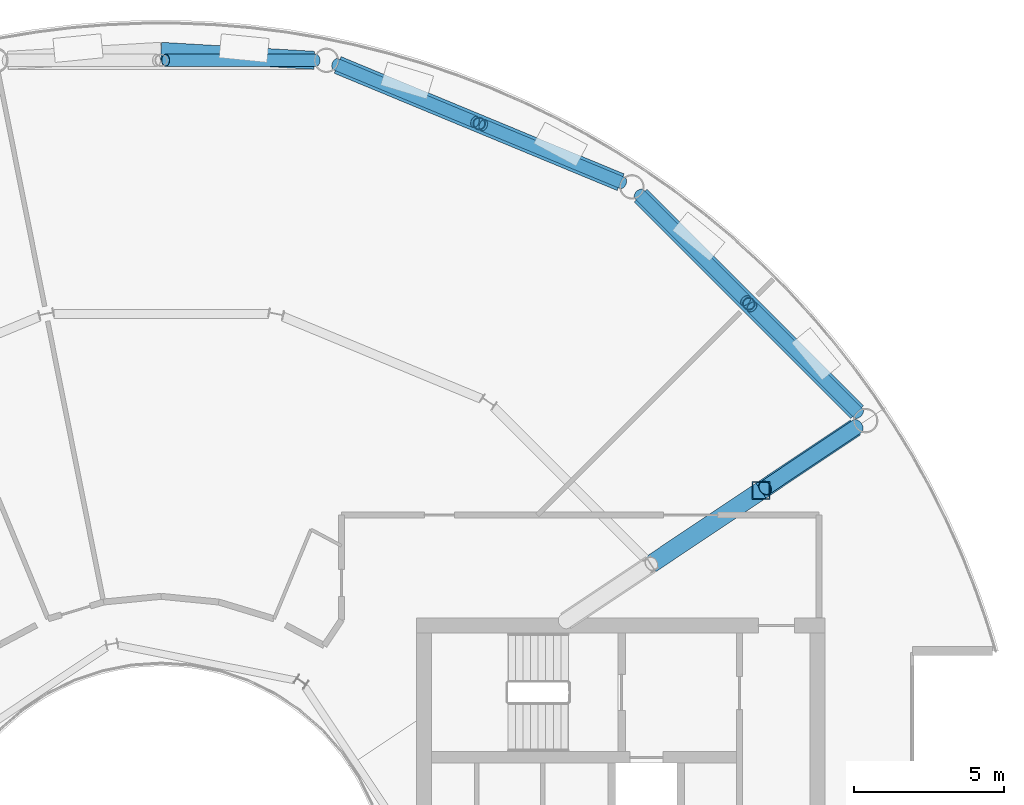
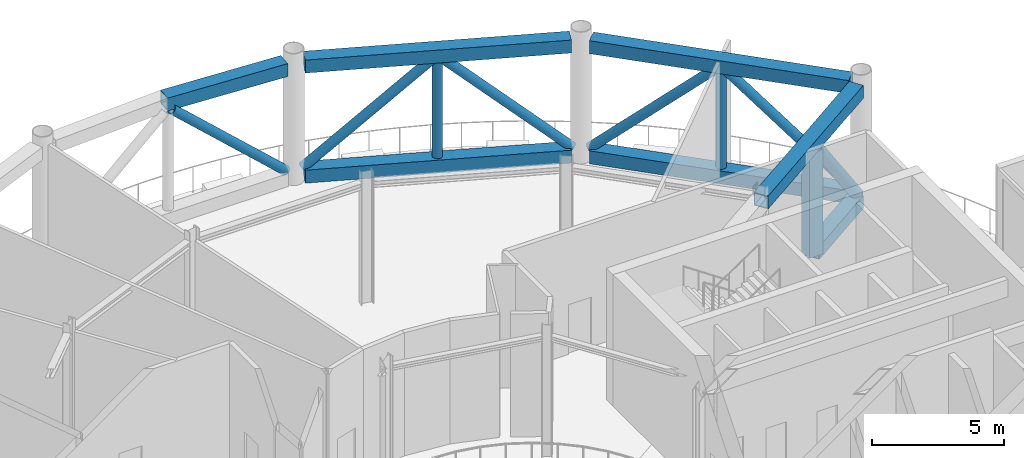
# One storey, part 10 of 24: 9 members, 7 beams.
"""IFC4 building model written with IfcOpenShell, lengths in metres."""

from ifc_helpers import new_model, si_unit, direction, frame, origin, origin_2d, place, context, subcontext, project, spatial, hollow_rectangle, hollow_circle, extrude, material, material_profile, profile_set, type_object, element, save


model = new_model("IFC4")

# Units and contexts
model_context = context("Model", 3, precision=1e-05, world=origin(), true_north=direction((0.0, 1.0)))
body_context = subcontext(model_context, "Body", "Model", "MODEL_VIEW")
ifc_project = project(units=[si_unit("LENGTHUNIT", "METRE"), si_unit("AREAUNIT", "SQUARE_METRE"), si_unit("VOLUMEUNIT", "CUBIC_METRE"), si_unit("PLANEANGLEUNIT", "RADIAN"), si_unit("MASSUNIT", "GRAM", prefix="KILO")], contexts=[model_context])

# Site, building, storey
site_placement = place(None, origin())
site = spatial("IfcSite", under=ifc_project, at=site_placement, CompositionType="ELEMENT")
building_placement = place(site_placement, origin())
building = spatial("IfcBuilding", under=site, at=building_placement, Name="Maasbend Ring Residences", CompositionType="ELEMENT")
storey_placement = place(building_placement, frame((0.0, 0.0, 179.89990234375)))
storey = spatial("IfcBuildingStorey", under=building, at=storey_placement, Name="L52", CompositionType="ELEMENT", Elevation=179.89990234375)

# Beams
ifc_material_1 = material(Name="Steel S460M", Category="steel")
ifc_material_profile_1 = material_profile(ifc_material_1, hollow_rectangle(XDim=0.60009765625, YDim=0.60009765625, WallThickness=0.035888671875, at=origin_2d()), Name="Belt truss chord BX 600x600x36")
ifc_profile_set_1 = profile_set([ifc_material_profile_1], Name="Steel S460M")
beam_type_1 = type_object("IfcBeamType", Name="Belt truss chord BX 600x600x36", PredefinedType="BEAM", material=ifc_profile_set_1)
for number, where, z_axis, x_axis, name in (
    (1, (23.159912109375, 15.95458984375, 0.300048828125), (-0.707106781187, 0.707106781187, 0.0), (-0.707106781187, -0.707106781187, 0.0), "Belt truss"),
    (2, (23.159912109375, 15.95458984375, 5.400146484375), (-0.707106781187, 0.707106781187, 0.0), (-0.707106781187, -0.707106781187, 0.0), "Belt truss"),
    (3, (15.29150390625, 23.60302734375, 0.300048828125), (-0.923883676188, 0.382673428492, 0.0), (-0.382673428492, -0.923883676188, 0.0), "Belt truss"),
    (4, (15.29150390625, 23.60302734375, 5.400146484375), (-0.923883676188, 0.382673428492, 0.0), (-0.382673428492, -0.923883676188, 0.0), "Belt truss"),
):
    element("IfcBeam", number, at=place(storey_placement, frame(where, z_axis=z_axis, x_axis=x_axis)), inside=storey, type_object=beam_type_1, Name=name, PredefinedType="BEAM", context=body_context, shape_type="SweptSolid", body=[
        extrude(hollow_rectangle(XDim=0.60009765625, YDim=0.60009765625, WallThickness=0.035888671875, at=origin_2d()), origin(), (0.0, 0.0, 1.0), 10.18994140625),
    ])
beam_1_placement = place(storey_placement, frame((5.094970703125, 27.658203125, 5.400146484375), z_axis=(-0.998273218339, 0.058741650875, 0.0), x_axis=(-0.058741650875, -0.998273218339, 0.0)))
element("IfcBeam", 5, at=beam_1_placement, inside=storey, type_object=beam_type_1, Name="Belt truss", PredefinedType="BEAM", context=body_context, shape_type="SweptSolid", body=[
    extrude(hollow_rectangle(XDim=0.60009765625, YDim=0.60009765625, WallThickness=0.035888671875, at=origin_2d()), origin(), (0.0, 0.0, 1.0), 5.103759765625),
])

# Members
ifc_material_2 = material(Name="Steel S460NH", Category="steel")
ifc_material_profile_2 = material_profile(ifc_material_2, hollow_circle(Radius=0.203125, WallThickness=0.01611328125, at=origin_2d()), Name="Belt truss diagonal CHS 406.4x16")
ifc_profile_set_2 = profile_set([ifc_material_profile_2], Name="Steel S460NH")
member_type_1 = type_object("IfcMemberType", Name="Belt truss diagonal CHS 406.4x16", PredefinedType="BRACE", material=ifc_profile_set_2)
for number, where, z_axis, x_axis, name in (
    (6, (23.198486328125, 15.916015625, 0.550048828125), (-0.520400679453, 0.520400679453, 0.677027522077), (-0.707106781187, -0.707106781187, 0.0), "Belt truss diagonal"),
    (7, (19.451904296875, 19.66259765625, 5.150146484375), (-0.520400679453, 0.520400679453, -0.677027522077), (-0.707106781187, -0.707106781187, 0.0), "Belt truss diagonal"),
):
    element("IfcMember", number, at=place(storey_placement, frame(where, z_axis=z_axis, x_axis=x_axis)), inside=storey, type_object=member_type_1, Name=name, PredefinedType="BRACE", context=body_context, shape_type="SweptSolid", body=[
        extrude(hollow_circle(Radius=0.203125, WallThickness=0.01611328125, at=origin_2d()), origin(), (0.0, 0.0, 1.0), 6.79443359375),
    ])
member_1_placement = place(storey_placement, frame((15.341796875, 23.582275390625, 0.550048828125), z_axis=(-0.679957497264, 0.281626868715, 0.677011158499), x_axis=(-0.382659368921, -0.923889499549, 0.0)))
element("IfcMember", 8, at=member_1_placement, inside=storey, type_object=member_type_1, Name="Belt truss diagonal", PredefinedType="BRACE", context=body_context, shape_type="SweptSolid", body=[
    extrude(hollow_circle(Radius=0.203125, WallThickness=0.01611328125, at=origin_2d()), origin(), (0.0, 0.0, 1.0), 6.794677734375),
])
member_2_placement = place(storey_placement, frame((10.44677734375, 25.609619140625, 5.150146484375), z_axis=(-0.679938177995, 0.281633749359, -0.677027699084), x_axis=(-0.382676629581, -0.923882350288, 0.0)))
element("IfcMember", 9, at=member_2_placement, inside=storey, type_object=member_type_1, Name="Belt truss diagonal", PredefinedType="BRACE", context=body_context, shape_type="SweptSolid", body=[
    extrude(hollow_circle(Radius=0.203125, WallThickness=0.01611328125, at=origin_2d()), origin(), (0.0, 0.0, 1.0), 6.79443359375),
])
member_3_placement = place(storey_placement, frame((5.1494140625, 27.658203125, 0.550048828125), z_axis=(-0.735973261866, 0.0, 0.677010603919), x_axis=(0.0, -1.0, 0.0)))
element("IfcMember", 10, at=member_3_placement, inside=storey, type_object=member_type_1, Name="Belt truss diagonal", PredefinedType="BRACE", context=body_context, shape_type="SweptSolid", body=[
    extrude(hollow_circle(Radius=0.203125, WallThickness=0.01611328125, at=origin_2d()), origin(), (0.0, 0.0, 1.0), 6.794677734375),
])
ifc_material_3 = material(Name="Steel S460NH", Category="steel")
ifc_material_profile_3 = material_profile(ifc_material_3, hollow_circle(Radius=0.203125, WallThickness=0.01611328125, at=origin_2d()), Name="Belt truss post CHS 406.4x16")
ifc_profile_set_3 = profile_set([ifc_material_profile_3], Name="Steel S460NH")
member_type_2 = type_object("IfcMemberType", Name="Belt truss post CHS 406.4x16", PredefinedType="POST", material=ifc_profile_set_3)
for number, where, z_axis, x_axis, name in (
    (11, (19.55712890625, 19.55712890625, 0.60009765625), (0.0, 0.0, 1.0), (1.0, 0.0, 0.0), "Belt truss post"),
    (12, (10.584228515625, 25.552734375, 0.60009765625), (0.0, 0.0, 1.0), (1.0, 0.0, 0.0), "Belt truss post"),
):
    element("IfcMember", number, at=place(storey_placement, frame(where, z_axis=z_axis, x_axis=x_axis)), inside=storey, type_object=member_type_2, Name=name, PredefinedType="POST", context=body_context, shape_type="SweptSolid", body=[
        extrude(hollow_circle(Radius=0.203125, WallThickness=0.01611328125, at=origin_2d()), origin(), (0.0, 0.0, 1.0), 4.5),
    ])

# Beams
ifc_material_4 = material(Name="Steel S460M", Category="steel")
ifc_material_profile_4 = material_profile(ifc_material_4, hollow_rectangle(XDim=0.60009765625, YDim=0.60009765625, WallThickness=0.035888671875, at=origin_2d()), Name="Outrigger truss chord BX 600x600x36")
ifc_profile_set_4 = profile_set([ifc_material_profile_4], Name="Steel S460M")
beam_type_2 = type_object("IfcBeamType", Name="Outrigger truss chord BX 600x600x36", PredefinedType="BEAM", material=ifc_profile_set_4)
beam_2_placement = place(storey_placement, frame((23.109375, 15.44140625, 0.300048828125), z_axis=(-0.831444556462, -0.555607729904, 0.0), x_axis=(0.555607729904, -0.831444556462, 0.0)))
element("IfcBeam", 13, at=beam_2_placement, inside=storey, type_object=beam_type_2, Name="Outrigger truss", PredefinedType="BEAM", context=body_context, shape_type="SweptSolid", body=[
    extrude(hollow_rectangle(XDim=0.60009765625, YDim=0.60009765625, WallThickness=0.035888671875, at=origin_2d()), origin(), (0.0, 0.0, 1.0), 3.78564453125),
])
beam_3_placement = place(storey_placement, frame((23.109375, 15.44140625, 5.400146484375), z_axis=(-0.831453297605, -0.555594648914, 0.0), x_axis=(0.555594648914, -0.831453297605, 0.0)))
element("IfcBeam", 14, at=beam_3_placement, inside=storey, type_object=beam_type_2, Name="Outrigger truss", PredefinedType="BEAM", context=body_context, shape_type="SweptSolid", body=[
    extrude(hollow_rectangle(XDim=0.60009765625, YDim=0.60009765625, WallThickness=0.035888671875, at=origin_2d()), origin(), (0.0, 0.0, 1.0), 8.185546875),
])

# Members
ifc_material_5 = material(Name="Steel S460NH", Category="steel")
ifc_material_profile_5 = material_profile(ifc_material_5, hollow_circle(Radius=0.25390625, WallThickness=0.02490234375, at=origin_2d()), Name="Outrigger truss diagonal CHS 508x25")
ifc_profile_set_5 = profile_set([ifc_material_profile_5], Name="Steel S460NH")
member_type_3 = type_object("IfcMemberType", Name="Outrigger truss diagonal CHS 508x25", PredefinedType="BRACE", material=ifc_profile_set_5)
member_4_placement = place(storey_placement, frame((23.142578125, 15.46337890625, 0.550048828125), z_axis=(-0.51783647602, -0.346013259135, 0.782381114679), x_axis=(0.555576879921, -0.831465170946, 0.0)))
element("IfcMember", 15, at=member_4_placement, inside=storey, type_object=member_type_3, Name="Outrigger truss diagonal", PredefinedType="BRACE", context=body_context, shape_type="SweptSolid", body=[
    extrude(hollow_circle(Radius=0.25390625, WallThickness=0.02490234375, at=origin_2d()), origin(), (0.0, 0.0, 1.0), 5.879638671875),
])
ifc_material_6 = material(Name="Steel S460M", Category="steel")
ifc_material_profile_6 = material_profile(ifc_material_6, hollow_rectangle(XDim=0.60009765625, YDim=0.60009765625, WallThickness=0.035888671875, at=origin_2d()), Name="Outrigger truss post BX 600x600x36")
ifc_profile_set_6 = profile_set([ifc_material_profile_6], Name="Steel S460M")
member_type_4 = type_object("IfcMemberType", Name="Outrigger truss post BX 600x600x36", PredefinedType="POST", material=ifc_profile_set_6)
member_5_placement = place(storey_placement, frame((19.9619140625, 13.338134765625, 0.25), z_axis=(0.0, 0.0, 1.0), x_axis=(1.0, 0.0, 0.0)))
element("IfcMember", 16, at=member_5_placement, inside=storey, type_object=member_type_4, Name="Outrigger truss post", PredefinedType="POST", context=body_context, shape_type="SweptSolid", body=[
    extrude(hollow_rectangle(XDim=0.60009765625, YDim=0.60009765625, WallThickness=0.035888671875, at=origin_2d()), origin(), (0.0, 0.0, 1.0), 4.85009765625),
])

save(model, "model.ifc")
